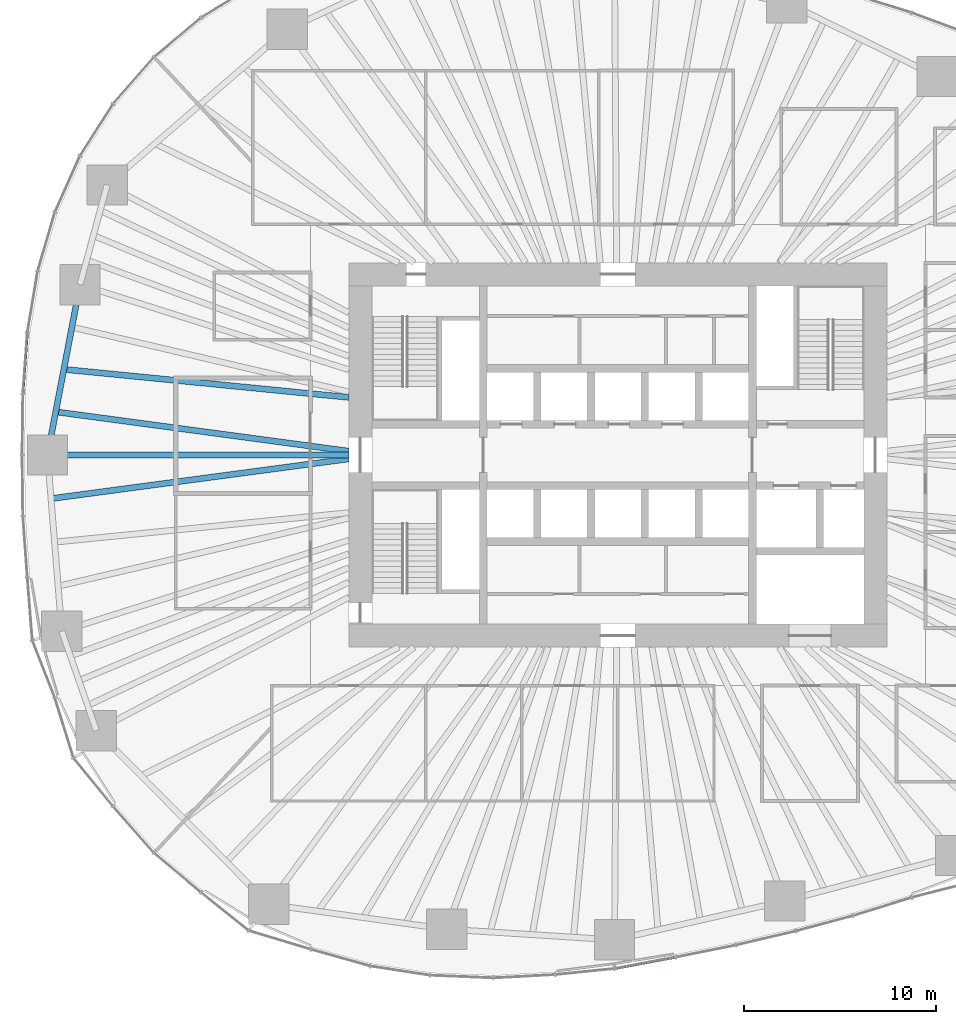
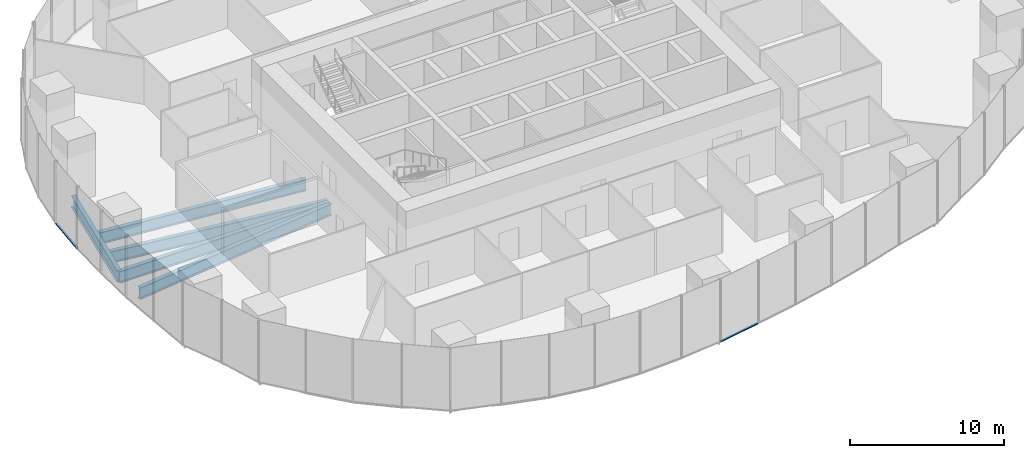
# One storey, part 3 of 20: 5 beams, 2 members, 2 elements without a shape of their own.
"""IFC4 building model written with IfcOpenShell, lengths in metres."""

from ifc_helpers import new_model, si_unit, direction, frame, origin, origin_2d, place, context, subcontext, project, spatial, rectangle, i_section, extrude, material, material_profile, profile_set, type_object, element, aggregate, save


model = new_model("IFC4")

# Units and contexts
model_context = context("Model", 3, precision=1e-05, world=origin(), true_north=direction((0.0, 1.0)))
body_context = subcontext(model_context, "Body", "Model", "MODEL_VIEW")
ifc_project = project(units=[si_unit("LENGTHUNIT", "METRE"), si_unit("AREAUNIT", "SQUARE_METRE"), si_unit("VOLUMEUNIT", "CUBIC_METRE"), si_unit("PLANEANGLEUNIT", "RADIAN"), si_unit("MASSUNIT", "GRAM", prefix="KILO")], contexts=[model_context])

# Site, building, storey
site_placement = place(None, origin())
site = spatial("IfcSite", under=ifc_project, at=site_placement, CompositionType="ELEMENT")
building_placement = place(site_placement, origin())
building = spatial("IfcBuilding", under=site, at=building_placement, Name="Ghaith Harvest Tower", CompositionType="ELEMENT")
storey_placement = place(building_placement, frame((0.0, 0.0, 20.0)))
storey = spatial("IfcBuildingStorey", under=building, at=storey_placement, Name="L04", CompositionType="ELEMENT", Elevation=20.0)

# Curtain wall, member
ifc_material_1 = material(Name="Black anodised aluminium and fritted glass", Category="aluminium")
curtain_wall_type = type_object("IfcCurtainWallType", Name="CW-F CURTAIN WALL", PredefinedType="NOTDEFINED", material=ifc_material_1)
curtain_wall_1_placement = place(storey_placement, origin())
curtain_wall_1 = element("IfcCurtainWall", 1, at=curtain_wall_1_placement, inside=storey, type_object=curtain_wall_type, Name="Curtain wall CW-F bay 10 L04", PredefinedType="NOTDEFINED")
ifc_material_2 = material(Name="Aluminium, black anodised", Category="aluminium")
ifc_material_profile_1 = material_profile(ifc_material_2, rectangle(XDim=0.139892578125, YDim=0.080078125, at=origin_2d()), Name="CW-F TRANSOM 140x80")
ifc_profile_set_1 = profile_set([ifc_material_profile_1], Name="Aluminium, black anodised")
member_type = type_object("IfcMemberType", Name="CW-F TRANSOM 140x80", PredefinedType="USERDEFINED", material=ifc_profile_set_1)
member_1_placement = place(storey_placement, frame((-30.72705078125, 6.335693359375, 0.0400390625), z_axis=(-0.072473547161, -0.997370334912, 0.0), x_axis=(0.997370334912, -0.072473547161, 0.0)))
member_1 = element("IfcMember", 2, at=member_1_placement, type_object=member_type, Name="CW-F transom 2 bay 10 L04", ObjectType="TRANSOM", PredefinedType="USERDEFINED", context=body_context, shape_type="SweptSolid", body=[
    extrude(rectangle(XDim=0.139892578125, YDim=0.080078125, at=origin_2d()), origin(), (0.0, 0.0, 1.0), 3.126220703125),
])
aggregate(curtain_wall_1, [member_1])

curtain_wall_2_placement = place(storey_placement, origin())
curtain_wall_2 = element("IfcCurtainWall", 3, at=curtain_wall_2_placement, inside=storey, type_object=curtain_wall_type, Name="Curtain wall CW-F bay 16 L04", PredefinedType="NOTDEFINED")
member_2_placement = place(storey_placement, frame((-0.1435546875, -26.709716796875, 0.0400390625), z_axis=(0.983139075124, 0.182859396706, 0.0), x_axis=(-0.182859396706, 0.983139075124, 0.0)))
member_2 = element("IfcMember", 4, at=member_2_placement, type_object=member_type, Name="CW-F transom 1 bay 16 L04", ObjectType="TRANSOM", PredefinedType="USERDEFINED", context=body_context, shape_type="SweptSolid", body=[
    extrude(rectangle(XDim=0.139892578125, YDim=0.080078125, at=origin_2d()), origin(), (0.0, 0.0, 1.0), 3.1669921875),
])
aggregate(curtain_wall_2, [member_2])

# Beams
ifc_material_3 = material(Name="Steel ASTM A992 Grade 50", Category="steel")
ifc_material_profile_2 = material_profile(ifc_material_3, i_section(OverallWidth=0.306884765625, OverallDepth=0.94189453125, WebThickness=0.022216796875, FlangeThickness=0.039794921875, at=origin_2d()), Name="W920X345")
ifc_profile_set_2 = profile_set([ifc_material_profile_2], Name="Steel ASTM A992 Grade 50")
beam_type_1 = type_object("IfcBeamType", Name="E920-345 W920X345", PredefinedType="SPANDREL", material=ifc_profile_set_2)
beam_1_placement = place(storey_placement, frame((-27.98291015625, 8.867919921875, -0.6708984375), z_axis=(-0.187433949108, -0.982277208695, 0.0), x_axis=(0.982277208695, -0.187433949108, 0.0)))
element("IfcBeam", 5, at=beam_1_placement, inside=storey, type_object=beam_type_1, Name="Edge beam E10 L04", PredefinedType="SPANDREL", context=body_context, shape_type="SweptSolid", body=[
    extrude(i_section(OverallWidth=0.306884765625, OverallDepth=0.94189453125, WebThickness=0.022216796875, FlangeThickness=0.039794921875, at=origin_2d()), origin(), (0.0, 0.0, 1.0), 9.02783203125),
])
ifc_material_4 = material(Name="Steel ASTM A992 Grade 50", Category="steel")
ifc_material_profile_3 = material_profile(ifc_material_4, i_section(OverallWidth=0.306884765625, OverallDepth=0.94189453125, WebThickness=0.022216796875, FlangeThickness=0.039794921875, at=origin_2d()), Name="W920X345")
ifc_profile_set_3 = profile_set([ifc_material_profile_3], Name="Steel ASTM A992 Grade 50")
beam_type_2 = type_object("IfcBeamType", Name="G920-345 W920X345", PredefinedType="BEAM", material=ifc_profile_set_3)
beam_2_placement = place(storey_placement, frame((-14.0, 0.0, -0.6708984375), z_axis=(-1.0, 0.0, 0.0), x_axis=(0.0, -1.0, 0.0)))
element("IfcBeam", 6, at=beam_2_placement, inside=storey, type_object=beam_type_2, Name="Radial girder G11 L04", PredefinedType="BEAM", context=body_context, shape_type="SweptSolid", body=[
    extrude(i_section(OverallWidth=0.306884765625, OverallDepth=0.94189453125, WebThickness=0.022216796875, FlangeThickness=0.039794921875, at=origin_2d()), origin(), (0.0, 0.0, 1.0), 15.675048828125),
])
ifc_material_5 = material(Name="Steel ASTM A992 Grade 50", Category="steel")
ifc_material_profile_4 = material_profile(ifc_material_5, i_section(OverallWidth=0.31005859375, OverallDepth=0.927001953125, WebThickness=0.019287109375, FlangeThickness=0.031982421875, at=origin_2d()), Name="W920X289")
ifc_profile_set_4 = profile_set([ifc_material_profile_4], Name="Steel ASTM A992 Grade 50")
beam_type_3 = type_object("IfcBeamType", Name="J920-289 W920X289", PredefinedType="JOIST", material=ifc_profile_set_4)
beam_3_placement = place(storey_placement, frame((-14.0, 3.0, -0.66357421875), z_axis=(-0.995196704135, 0.097895454848, 0.0), x_axis=(-0.097895454848, -0.995196704135, 0.0)))
element("IfcBeam", 7, at=beam_3_placement, inside=storey, type_object=beam_type_3, Name="Joist J10.2 L04", PredefinedType="JOIST", context=body_context, shape_type="SweptSolid", body=[
    extrude(i_section(OverallWidth=0.31005859375, OverallDepth=0.927001953125, WebThickness=0.019287109375, FlangeThickness=0.031982421875, at=origin_2d()), origin(), (0.0, 0.0, 1.0), 14.89599609375),
])
beam_4_placement = place(storey_placement, frame((-14.0, 0.199951171875, -0.66357421875), z_axis=(-0.991095171591, 0.133155401128, 0.0), x_axis=(-0.133155401128, -0.991095171591, 0.0)))
element("IfcBeam", 8, at=beam_4_placement, inside=storey, type_object=beam_type_3, Name="Joist J10.3 L04", PredefinedType="JOIST", context=body_context, shape_type="SweptSolid", body=[
    extrude(i_section(OverallWidth=0.31005859375, OverallDepth=0.927001953125, WebThickness=0.019287109375, FlangeThickness=0.031982421875, at=origin_2d()), origin(), (0.0, 0.0, 1.0), 15.383056640625),
])
beam_5_placement = place(storey_placement, frame((-14.0, -0.199951171875, -0.66357421875), z_axis=(-0.991213569042, -0.132271162948, 0.0), x_axis=(0.132271162948, -0.991213569042, 0.0)))
element("IfcBeam", 9, at=beam_5_placement, inside=storey, type_object=beam_type_3, Name="Joist J11.1 L04", PredefinedType="JOIST", context=body_context, shape_type="SweptSolid", body=[
    extrude(i_section(OverallWidth=0.31005859375, OverallDepth=0.927001953125, WebThickness=0.019287109375, FlangeThickness=0.031982421875, at=origin_2d()), origin(), (0.0, 0.0, 1.0), 15.6279296875),
])

save(model, "model.ifc")
